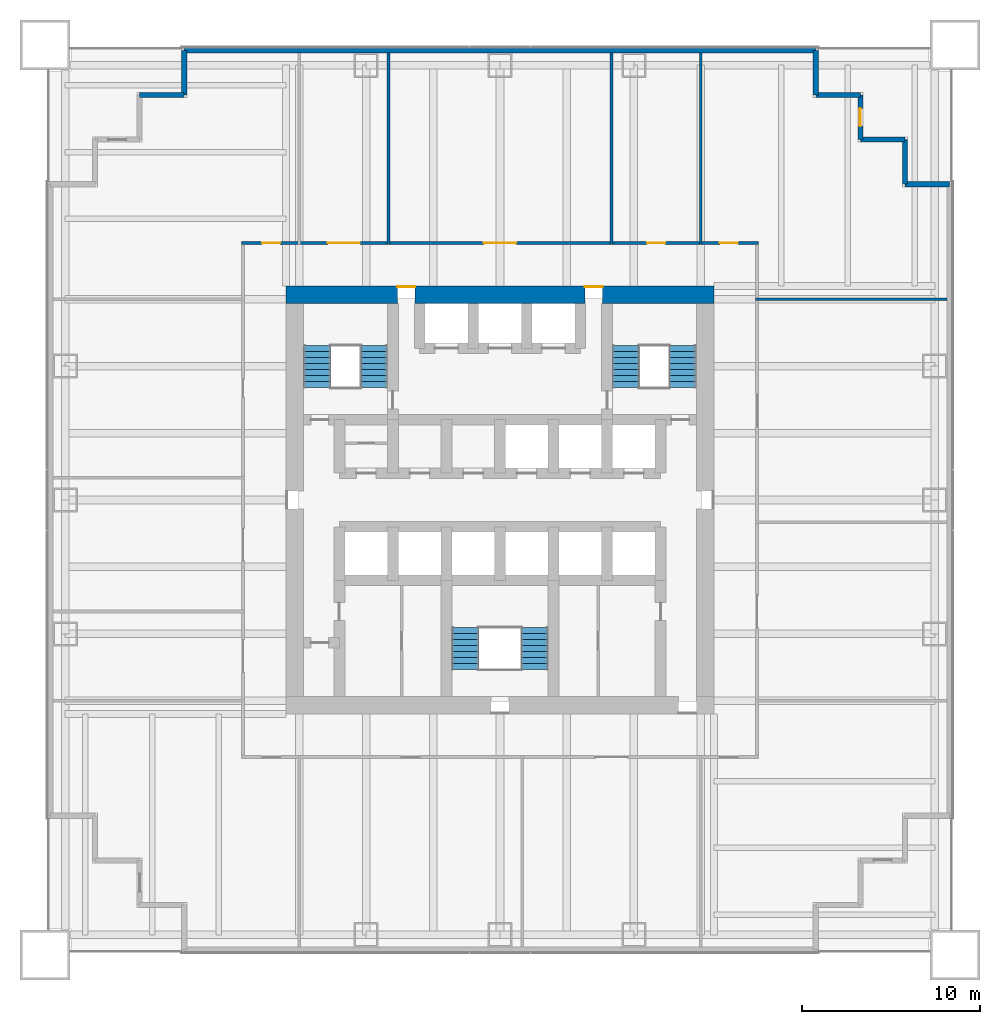
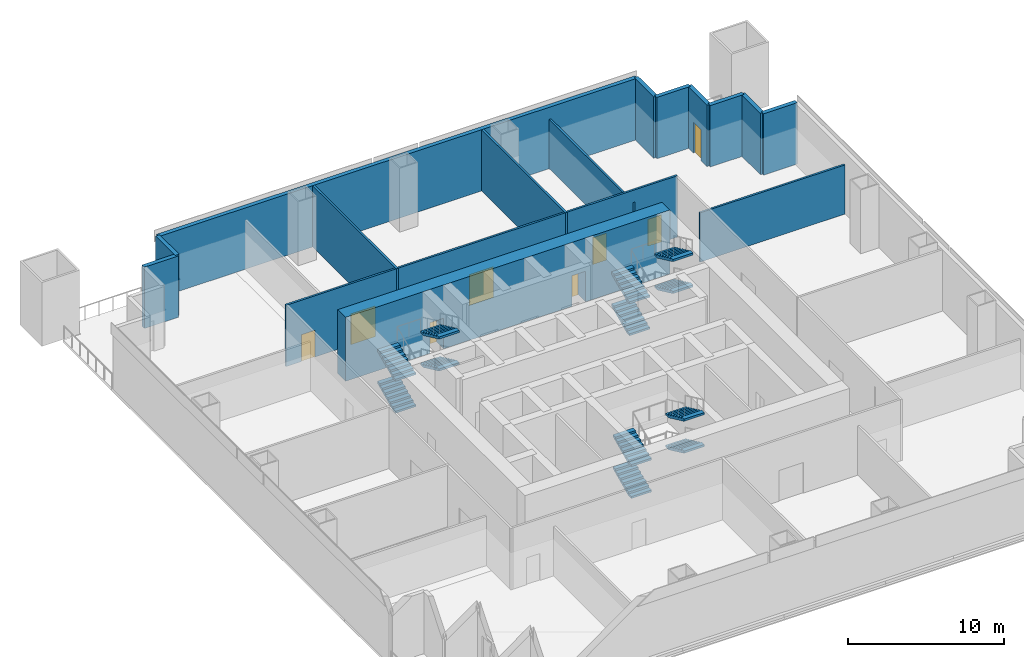
# One storey, part 4 of 6: 15 walls, 12 stair flights, 8 doors, 8 openings, 3 elements without a shape of their own.
"""IFC4 building model written with IfcOpenShell, lengths in metres."""

from ifc_helpers import new_model, si_unit, direction, frame, frame_2d, origin, place, context, subcontext, project, spatial, polyline, rectangle, outline, extrude, material, layer, layer_set, type_object, element, fill, aggregate, save


model = new_model("IFC4")

# Units and contexts
model_context = context("Model", 3, precision=1e-05, world=origin(), true_north=direction((0.0, 1.0)))
body_context = subcontext(model_context, "Body", "Model", "MODEL_VIEW")
ifc_project = project(units=[si_unit("LENGTHUNIT", "METRE"), si_unit("AREAUNIT", "SQUARE_METRE"), si_unit("VOLUMEUNIT", "CUBIC_METRE"), si_unit("PLANEANGLEUNIT", "RADIAN"), si_unit("MASSUNIT", "GRAM", prefix="KILO")], contexts=[model_context])

# Site, building, storey
site_placement = place(None, origin())
site = spatial("IfcSite", under=ifc_project, at=site_placement, CompositionType="ELEMENT")
building_placement = place(site_placement, origin())
building = spatial("IfcBuilding", under=site, at=building_placement, Name="Tarangal Relay Tower", CompositionType="ELEMENT")
storey_placement = place(building_placement, frame((0.0, 0.0, 73.39990234375)))
storey = spatial("IfcBuildingStorey", under=building, at=storey_placement, Name="L14", CompositionType="ELEMENT", Elevation=73.39990234375)

# Wall, openings, doors
ifc_material_1 = material(Name="Concrete fc' 60 MPa", Category="concrete")
ifc_layer_1 = layer(ifc_material_1, 1.0)
ifc_layer_set_1 = layer_set([ifc_layer_1], Name="Core wall 1000")
wall_type_1 = type_object("IfcWallType", Name="Core wall 1000", PredefinedType="SHEAR", material=ifc_layer_set_1)
wall_1_placement = place(storey_placement, frame((-12.0, 11.5, 0.0), z_axis=(0.0, 0.0, 1.0), x_axis=(1.0, 0.0, 0.0)))
wall_1 = element("IfcWall", 1, at=wall_1_placement, inside=storey, type_object=wall_type_1, Name="Core wall N L14", PredefinedType="SHEAR", context=body_context, shape_type="SweptSolid", body=[
    extrude(rectangle(XDim=24.0, YDim=1.0, at=frame_2d((12.0, 0.0))), origin(), (0.0, 0.0, 1.0), 5.0),
])
opening_1_placement = place(wall_1_placement, frame((6.25, 0.0, 0.0)))
opening_1 = element("IfcOpeningElement", 2, at=opening_1_placement, cuts=wall_1, Name="Opening FD3", PredefinedType="OPENING", context=body_context, shape_type="SweptSolid", body=[
    extrude(rectangle(XDim=1.0, YDim=2.39990234375, at=frame_2d((0.5, 1.199951171875))), frame((0.0, 0.510009765625, 0.0), z_axis=(0.0, -1.0, 0.0), x_axis=(1.0, 0.0, 0.0)), (0.0, 0.0, 1.0), 1.02001953125),
])
opening_2_placement = place(wall_1_placement, frame((16.75, 0.0, 0.0)))
opening_2 = element("IfcOpeningElement", 3, at=opening_2_placement, cuts=wall_1, Name="Opening FD3", PredefinedType="OPENING", context=body_context, shape_type="SweptSolid", body=[
    extrude(rectangle(XDim=1.0, YDim=2.39990234375, at=frame_2d((0.5, 1.199951171875))), frame((0.0, 0.510009765625, 0.0), z_axis=(0.0, -1.0, 0.0), x_axis=(1.0, 0.0, 0.0)), (0.0, 0.0, 1.0), 1.02001953125),
])
ifc_material_2 = material(Name="Steel door with hardwood frame", Category="steel")
door_type_1 = type_object("IfcDoorType", Name="Fire door 1000 x 2400 core entry", OperationType="SINGLE_SWING_RIGHT", PredefinedType="DOOR", material=ifc_material_2)
door_1_placement = place(opening_1_placement, origin())
door_1 = element("IfcDoor", 4, at=door_1_placement, inside=storey, type_object=door_type_1, Name="Core entry door north west L14", OperationType="SINGLE_SWING_RIGHT", OverallHeight=2.39990234375, OverallWidth=1.0, PredefinedType="DOOR", context=body_context, shape_type="SweptSolid", body=[
    extrude(rectangle(XDim=1.0, YDim=2.39990234375, at=frame_2d((0.5, 1.199951171875))), frame((0.0, 0.48486328125, 0.0), z_axis=(0.0, -1.0, 0.0), x_axis=(1.0, 0.0, 0.0)), (0.0, 0.0, 1.0), 0.050048828125),
])
fill(opening_1, door_1)
door_2_placement = place(opening_2_placement, origin())
door_2 = element("IfcDoor", 5, at=door_2_placement, inside=storey, type_object=door_type_1, Name="Core entry door north east L14", OperationType="SINGLE_SWING_RIGHT", OverallHeight=2.39990234375, OverallWidth=1.0, PredefinedType="DOOR", context=body_context, shape_type="SweptSolid", body=[
    extrude(rectangle(XDim=1.0, YDim=2.39990234375, at=frame_2d((0.5, 1.199951171875))), frame((0.0, 0.48486328125, 0.0), z_axis=(0.0, -1.0, 0.0), x_axis=(1.0, 0.0, 0.0)), (0.0, 0.0, 1.0), 0.050048828125),
])
fill(opening_2, door_2)

# Walls
ifc_material_3 = material(Name="Insulated precast concrete fc' 40 MPa", Category="concrete")
ifc_layer_2 = layer(ifc_material_3, 0.300048828125)
ifc_layer_set_2 = layer_set([ifc_layer_2], Name="Insulated precast concrete fc' 40 MPa")
wall_type_2 = type_object("IfcWallType", Name="Facade wall precast 300", PredefinedType="SOLIDWALL", material=ifc_layer_set_2)
wall_2_placement = place(storey_placement, frame((-17.699951171875, 25.199951171875, 0.0), z_axis=(0.0, 0.0, 1.0), x_axis=(1.0, 0.0, 0.0)))
element("IfcWall", 6, at=wall_2_placement, inside=storey, type_object=wall_type_2, Name="Facade wall N facade L14", PredefinedType="SOLIDWALL", context=body_context, shape_type="SweptSolid", body=[
    extrude(rectangle(XDim=35.39990234375, YDim=0.300048828125, at=frame_2d((17.699951171875, 0.0))), origin(), (0.0, 0.0, 1.0), 4.800048828125),
])
for number, where, z_axis, x_axis, name in (
    (7, (17.699951171875, 25.199951171875, 0.0), (0.0, 0.0, 1.0), (0.0, -1.0, 0.0), "Facade wall N facade L14"),
    (8, (17.699951171875, 22.699951171875, 0.0), (0.0, 0.0, 1.0), (1.0, 0.0, 0.0), "Facade wall N facade L14"),
):
    element("IfcWall", number, at=place(storey_placement, frame(where, z_axis=z_axis, x_axis=x_axis)), inside=storey, type_object=wall_type_2, Name=name, PredefinedType="SOLIDWALL", context=body_context, shape_type="SweptSolid", body=[
        extrude(rectangle(XDim=2.5, YDim=0.300048828125, at=frame_2d((1.25, 0.0))), origin(), (0.0, 0.0, 1.0), 4.800048828125),
    ])

# Wall, opening, door
wall_3_placement = place(storey_placement, frame((20.199951171875, 22.699951171875, 0.0), z_axis=(0.0, 0.0, 1.0), x_axis=(0.0, -1.0, 0.0)))
wall_3 = element("IfcWall", 9, at=wall_3_placement, inside=storey, type_object=wall_type_2, Name="Facade wall N facade L14", PredefinedType="SOLIDWALL", context=body_context, shape_type="SweptSolid", body=[
    extrude(rectangle(XDim=2.5, YDim=0.300048828125, at=frame_2d((1.25, 0.0))), origin(), (0.0, 0.0, 1.0), 4.800048828125),
])
opening_3_placement = place(wall_3_placement, frame((0.75, 0.0, 0.0)))
opening_3 = element("IfcOpeningElement", 10, at=opening_3_placement, cuts=wall_3, Name="Opening TD1", PredefinedType="OPENING", context=body_context, shape_type="SweptSolid", body=[
    extrude(rectangle(XDim=1.0, YDim=2.39990234375, at=frame_2d((0.5, 1.199951171875))), frame((0.0, 0.159912109375, 0.0), z_axis=(0.0, -1.0, 0.0), x_axis=(1.0, 0.0, 0.0)), (0.0, 0.0, 1.0), 0.320068359375),
])
ifc_material_4 = material(Name="Aluminium glazed door", Category="aluminium")
door_type_2 = type_object("IfcDoorType", Name="Terrace door 1000 x 2400", OperationType="SINGLE_SWING_RIGHT", PredefinedType="DOOR", material=ifc_material_4)
door_3_placement = place(opening_3_placement, origin())
door_3 = element("IfcDoor", 11, at=door_3_placement, inside=storey, type_object=door_type_2, Name="Terrace door TD1 NE L14", OperationType="SINGLE_SWING_RIGHT", OverallHeight=2.39990234375, OverallWidth=1.0, PredefinedType="DOOR", context=body_context, shape_type="SweptSolid", body=[
    extrude(rectangle(XDim=1.0, YDim=2.39990234375, at=frame_2d((0.5, 1.199951171875))), frame((0.0, 0.02490234375, 0.0), z_axis=(0.0, -1.0, 0.0), x_axis=(1.0, 0.0, 0.0)), (0.0, 0.0, 1.0), 0.050048828125),
])
fill(opening_3, door_3)

# Walls
for number, where, z_axis, x_axis, name in (
    (12, (20.199951171875, 20.199951171875, 0.0), (0.0, 0.0, 1.0), (1.0, 0.0, 0.0), "Facade wall N facade L14"),
    (13, (22.699951171875, 20.199951171875, 0.0), (0.0, 0.0, 1.0), (0.0, -1.0, 0.0), "Facade wall N facade L14"),
    (14, (22.699951171875, 17.699951171875, 0.0), (0.0, 0.0, 1.0), (1.0, 0.0, 0.0), "Facade wall N facade L14"),
    (15, (-20.199951171875, 22.699951171875, 0.0), (0.0, 0.0, 1.0), (1.0, 0.0, 0.0), "Facade wall W facade L14"),
    (16, (-17.699951171875, 22.699951171875, 0.0), (0.0, 0.0, 1.0), (0.0, 1.0, 0.0), "Facade wall W facade L14"),
):
    element("IfcWall", number, at=place(storey_placement, frame(where, z_axis=z_axis, x_axis=x_axis)), inside=storey, type_object=wall_type_2, Name=name, PredefinedType="SOLIDWALL", context=body_context, shape_type="SweptSolid", body=[
        extrude(rectangle(XDim=2.5, YDim=0.300048828125, at=frame_2d((1.25, 0.0))), origin(), (0.0, 0.0, 1.0), 4.800048828125),
    ])
ifc_material_5 = material(Name="Gypsum board on steel studs", Category="steel")
ifc_layer_3 = layer(ifc_material_5, 0.14990234375)
ifc_layer_set_3 = layer_set([ifc_layer_3], Name="Partition 150")
wall_type_3 = type_object("IfcWallType", Name="Partition 150", PredefinedType="PARTITIONING", material=ifc_layer_set_3)
wall_4_placement = place(storey_placement, frame((14.324951171875, 11.25, 0.0), z_axis=(0.0, 0.0, 1.0), x_axis=(1.0, 0.0, 0.0)))
element("IfcWall", 17, at=wall_4_placement, inside=storey, type_object=wall_type_3, Name="Partition PT1 L14", PredefinedType="PARTITIONING", context=body_context, shape_type="SweptSolid", body=[
    extrude(rectangle(XDim=10.72509765625, YDim=0.14990234375, at=frame_2d((5.362548828125, 0.0))), origin(), (0.0, 0.0, 1.0), 3.852783203125),
])

# Wall, openings, doors
wall_5_placement = place(storey_placement, frame((-14.47509765625, 14.39990234375, 0.0), z_axis=(0.0, 0.0, 1.0), x_axis=(1.0, 0.0, 0.0)))
wall_5 = element("IfcWall", 18, at=wall_5_placement, inside=storey, type_object=wall_type_3, Name="Partition PT1 L14", PredefinedType="PARTITIONING", context=body_context, shape_type="SweptSolid", body=[
    extrude(rectangle(XDim=28.9501953125, YDim=0.14990234375, at=frame_2d((14.47509765625, 0.0))), origin(), (0.0, 0.0, 1.0), 4.800048828125),
])
opening_4_placement = place(wall_5_placement, frame((4.824951171875, 0.0, 0.0)))
opening_4 = element("IfcOpeningElement", 19, at=opening_4_placement, cuts=wall_5, Name="Opening DD1", PredefinedType="OPENING", context=body_context, shape_type="SweptSolid", body=[
    extrude(rectangle(XDim=1.800048828125, YDim=2.39990234375, at=frame_2d((0.89990234375, 1.199951171875))), frame((0.0, 0.0849609375, 0.0), z_axis=(0.0, -1.0, 0.0), x_axis=(1.0, 0.0, 0.0)), (0.0, 0.0, 1.0), 0.169921875),
])
opening_5_placement = place(wall_5_placement, frame((13.574951171875, 0.0, 0.0)))
opening_5 = element("IfcOpeningElement", 20, at=opening_5_placement, cuts=wall_5, Name="Opening DD1", PredefinedType="OPENING", context=body_context, shape_type="SweptSolid", body=[
    extrude(rectangle(XDim=1.800048828125, YDim=2.39990234375, at=frame_2d((0.89990234375, 1.199951171875))), frame((0.0, 0.0849609375, 0.0), z_axis=(0.0, -1.0, 0.0), x_axis=(1.0, 0.0, 0.0)), (0.0, 0.0, 1.0), 0.169921875),
])
opening_6_placement = place(wall_5_placement, frame((22.72509765625, 0.0, 0.0)))
opening_6 = element("IfcOpeningElement", 21, at=opening_6_placement, cuts=wall_5, Name="Opening D2", PredefinedType="OPENING", context=body_context, shape_type="SweptSolid", body=[
    extrude(rectangle(XDim=1.0, YDim=2.10009765625, at=frame_2d((0.5, 1.050048828125))), frame((0.0, 0.0849609375, 0.0), z_axis=(0.0, -1.0, 0.0), x_axis=(1.0, 0.0, 0.0)), (0.0, 0.0, 1.0), 0.169921875),
])
opening_7_placement = place(wall_5_placement, frame((26.800048828125, 0.0, 0.0)))
opening_7 = element("IfcOpeningElement", 22, at=opening_7_placement, cuts=wall_5, Name="Opening D2", PredefinedType="OPENING", context=body_context, shape_type="SweptSolid", body=[
    extrude(rectangle(XDim=1.0, YDim=2.10009765625, at=frame_2d((0.5, 1.050048828125))), frame((0.0, 0.0849609375, 0.0), z_axis=(0.0, -1.0, 0.0), x_axis=(1.0, 0.0, 0.0)), (0.0, 0.0, 1.0), 0.169921875),
])
opening_8_placement = place(wall_5_placement, frame((1.14990234375, 0.0, 0.0)))
opening_8 = element("IfcOpeningElement", 23, at=opening_8_placement, cuts=wall_5, Name="Opening D2", PredefinedType="OPENING", context=body_context, shape_type="SweptSolid", body=[
    extrude(rectangle(XDim=1.0, YDim=2.10009765625, at=frame_2d((0.5, 1.050048828125))), frame((0.0, 0.0849609375, 0.0), z_axis=(0.0, -1.0, 0.0), x_axis=(1.0, 0.0, 0.0)), (0.0, 0.0, 1.0), 0.169921875),
])
ifc_material_6 = material(Name="Hardwood door", Category="wood")
door_type_3 = type_object("IfcDoorType", Name="Door 1000 x 2100", OperationType="SINGLE_SWING_LEFT", PredefinedType="DOOR", material=ifc_material_6)
door_4_placement = place(opening_6_placement, origin())
door_4 = element("IfcDoor", 24, at=door_4_placement, inside=storey, type_object=door_type_3, Name="Door D2 to rack build and test room L14-04", OperationType="SINGLE_SWING_LEFT", OverallHeight=2.10009765625, OverallWidth=1.0, PredefinedType="DOOR", context=body_context, shape_type="SweptSolid", body=[
    extrude(rectangle(XDim=1.0, YDim=2.10009765625, at=frame_2d((0.5, 1.050048828125))), frame((0.0, 0.02490234375, 0.0), z_axis=(0.0, -1.0, 0.0), x_axis=(1.0, 0.0, 0.0)), (0.0, 0.0, 1.0), 0.050048828125),
])
fill(opening_6, door_4)
door_5_placement = place(opening_7_placement, origin())
door_5 = element("IfcDoor", 25, at=door_5_placement, inside=storey, type_object=door_type_3, Name="Door D2 to security office L14-12", OperationType="SINGLE_SWING_LEFT", OverallHeight=2.10009765625, OverallWidth=1.0, PredefinedType="DOOR", context=body_context, shape_type="SweptSolid", body=[
    extrude(rectangle(XDim=1.0, YDim=2.10009765625, at=frame_2d((0.5, 1.050048828125))), frame((0.0, 0.02490234375, 0.0), z_axis=(0.0, -1.0, 0.0), x_axis=(1.0, 0.0, 0.0)), (0.0, 0.0, 1.0), 0.050048828125),
])
fill(opening_7, door_5)
door_6_placement = place(opening_8_placement, origin())
door_6 = element("IfcDoor", 26, at=door_6_placement, inside=storey, type_object=door_type_3, Name="Door D2 to network operations room L14-15", OperationType="SINGLE_SWING_LEFT", OverallHeight=2.10009765625, OverallWidth=1.0, PredefinedType="DOOR", context=body_context, shape_type="SweptSolid", body=[
    extrude(rectangle(XDim=1.0, YDim=2.10009765625, at=frame_2d((0.5, 1.050048828125))), frame((0.0, 0.02490234375, 0.0), z_axis=(0.0, -1.0, 0.0), x_axis=(1.0, 0.0, 0.0)), (0.0, 0.0, 1.0), 0.050048828125),
])
fill(opening_8, door_6)
door_type_4 = type_object("IfcDoorType", Name="Equipment double door 1800 x 2400", OperationType="DOUBLE_DOOR_SINGLE_SWING", PredefinedType="DOOR", material=ifc_material_2)
door_7_placement = place(opening_4_placement, origin())
door_7 = element("IfcDoor", 27, at=door_7_placement, inside=storey, type_object=door_type_4, Name="Door DD1 to coolant distribution plant room L14-02", OperationType="DOUBLE_DOOR_SINGLE_SWING", OverallHeight=2.39990234375, OverallWidth=1.800048828125, PredefinedType="DOOR", context=body_context, shape_type="SweptSolid", body=[
    extrude(rectangle(XDim=1.800048828125, YDim=2.39990234375, at=frame_2d((0.89990234375, 1.199951171875))), frame((0.0, 0.02490234375, 0.0), z_axis=(0.0, -1.0, 0.0), x_axis=(1.0, 0.0, 0.0)), (0.0, 0.0, 1.0), 0.050048828125),
])
fill(opening_4, door_7)
door_8_placement = place(opening_5_placement, origin())
door_8 = element("IfcDoor", 28, at=door_8_placement, inside=storey, type_object=door_type_4, Name="Door DD1 to data hall L14-03", OperationType="DOUBLE_DOOR_SINGLE_SWING", OverallHeight=2.39990234375, OverallWidth=1.800048828125, PredefinedType="DOOR", context=body_context, shape_type="SweptSolid", body=[
    extrude(rectangle(XDim=1.800048828125, YDim=2.39990234375, at=frame_2d((0.89990234375, 1.199951171875))), frame((0.0, 0.02490234375, 0.0), z_axis=(0.0, -1.0, 0.0), x_axis=(1.0, 0.0, 0.0)), (0.0, 0.0, 1.0), 0.050048828125),
])
fill(opening_5, door_8)

# Walls
for number, where, z_axis, x_axis, name in (
    (29, (-6.25, 14.324951171875, 0.0), (0.0, 0.0, 1.0), (0.0, 1.0, 0.0), "Partition PT1 L14"),
    (30, (6.25, 14.324951171875, 0.0), (0.0, 0.0, 1.0), (0.0, 1.0, 0.0), "Partition PT1 L14"),
):
    element("IfcWall", number, at=place(storey_placement, frame(where, z_axis=z_axis, x_axis=x_axis)), inside=storey, type_object=wall_type_3, Name=name, PredefinedType="PARTITIONING", context=body_context, shape_type="SweptSolid", body=[
        extrude(rectangle(XDim=10.72509765625, YDim=0.14990234375, at=frame_2d((5.362548828125, 0.0))), origin(), (0.0, 0.0, 1.0), 4.800048828125),
    ])
wall_6_placement = place(storey_placement, frame((11.25, 14.324951171875, 0.0), z_axis=(0.0, 0.0, 1.0), x_axis=(0.0, 1.0, 0.0)))
element("IfcWall", 31, at=wall_6_placement, inside=storey, type_object=wall_type_3, Name="Partition PT1 L14", PredefinedType="PARTITIONING", context=body_context, shape_type="SweptSolid", body=[
    extrude(rectangle(XDim=10.72509765625, YDim=0.14990234375, at=frame_2d((5.362548828125, 0.0))), origin(), (0.0, 0.0, 1.0), 3.852783203125),
])

# Stair, stair flights
ifc_material_7 = material(Name="Steel ASTM A992 stair flight", Category="steel")
stair_type = type_object("IfcStairType", Name="Core stair 1500", PredefinedType="HALF_TURN_STAIR", material=ifc_material_7)
stair_1_placement = place(storey_placement, origin())
stair_1 = element("IfcStair", 32, at=stair_1_placement, inside=storey, type_object=stair_type, Name="Stair ST-A L14", PredefinedType="HALF_TURN_STAIR")
stair_flight_type = type_object("IfcStairFlightType", Name="Steel stair flight 1500, 8 risers 156 x 335", PredefinedType="STRAIGHT", material=ifc_material_7)
stair_flight_1_placement = place(storey_placement, frame((-10.25, 6.300048828125, 0.0), z_axis=(0.0, 0.0, 1.0), x_axis=(0.0, 1.0, 0.0)))
stair_flight_1 = element("IfcStairFlight", 33, at=stair_flight_1_placement, type_object=stair_flight_type, Name="ST-A flight 1", NumberOfRisers=8, NumberOfTreads=7, PredefinedType="STRAIGHT", RiserHeight=0.15625, TreadLength=0.335, context=body_context, shape_type="SweptSolid", body=[
    extrude(outline(polyline([(0.0, 0.0), (0.0, 0.15625), (0.3349609375, 0.15625), (0.3349609375, 0.3125), (0.669921875, 0.3125), (0.669921875, 0.46875), (1.0048828125, 0.46875), (1.0048828125, 0.625), (1.340087890625, 0.625), (1.340087890625, 0.78125), (1.675048828125, 0.78125), (1.675048828125, 0.9375), (2.010009765625, 0.9375), (2.010009765625, 1.09375), (2.344970703125, 1.09375), (2.344970703125, 1.25), (2.344970703125, 0.92822265625), (0.354736328125, 0.0), (0.0, 0.0)])), frame((0.0, 0.75, 0.0), z_axis=(0.0, -1.0, 0.0), x_axis=(1.0, 0.0, 0.0)), (0.0, 0.0, 1.0), 1.5),
])
stair_flight_2_placement = place(storey_placement, frame((-7.050048828125, 8.64501953125, 1.25), z_axis=(0.0, 0.0, 1.0), x_axis=(0.0, -1.0, 0.0)))
stair_flight_2 = element("IfcStairFlight", 34, at=stair_flight_2_placement, type_object=stair_flight_type, Name="ST-A flight 2", NumberOfRisers=8, NumberOfTreads=7, PredefinedType="STRAIGHT", RiserHeight=0.15625, TreadLength=0.335, context=body_context, shape_type="SweptSolid", body=[
    extrude(outline(polyline([(0.0, 0.0), (0.0, 0.15625), (0.3349609375, 0.15625), (0.3349609375, 0.3125), (0.669921875, 0.3125), (0.669921875, 0.46875), (1.0048828125, 0.46875), (1.0048828125, 0.625), (1.340087890625, 0.625), (1.340087890625, 0.78125), (1.675048828125, 0.78125), (1.675048828125, 0.9375), (2.010009765625, 0.9375), (2.010009765625, 1.09375), (2.344970703125, 1.09375), (2.344970703125, 1.25), (2.344970703125, 0.92822265625), (0.354736328125, 0.0), (0.0, 0.0)])), frame((0.0, 0.75, 0.0), z_axis=(0.0, -1.0, 0.0), x_axis=(1.0, 0.0, 0.0)), (0.0, 0.0, 1.0), 1.5),
])
stair_flight_3_placement = place(storey_placement, frame((-10.25, 6.300048828125, 2.5), z_axis=(0.0, 0.0, 1.0), x_axis=(0.0, 1.0, 0.0)))
stair_flight_3 = element("IfcStairFlight", 35, at=stair_flight_3_placement, type_object=stair_flight_type, Name="ST-A flight 3", NumberOfRisers=8, NumberOfTreads=7, PredefinedType="STRAIGHT", RiserHeight=0.15625, TreadLength=0.335, context=body_context, shape_type="SweptSolid", body=[
    extrude(outline(polyline([(0.0, 0.0), (0.0, 0.15625), (0.3349609375, 0.15625), (0.3349609375, 0.3125), (0.669921875, 0.3125), (0.669921875, 0.46875), (1.0048828125, 0.46875), (1.0048828125, 0.625), (1.340087890625, 0.625), (1.340087890625, 0.78125), (1.675048828125, 0.78125), (1.675048828125, 0.9375), (2.010009765625, 0.9375), (2.010009765625, 1.09375), (2.344970703125, 1.09375), (2.344970703125, 1.25), (2.344970703125, 0.92822265625), (0.354736328125, 0.0), (0.0, 0.0)])), frame((0.0, 0.75, 0.0), z_axis=(0.0, -1.0, 0.0), x_axis=(1.0, 0.0, 0.0)), (0.0, 0.0, 1.0), 1.5),
])
stair_flight_4_placement = place(storey_placement, frame((-7.050048828125, 8.64501953125, 3.75), z_axis=(0.0, 0.0, 1.0), x_axis=(0.0, -1.0, 0.0)))
stair_flight_4 = element("IfcStairFlight", 36, at=stair_flight_4_placement, type_object=stair_flight_type, Name="ST-A flight 4", NumberOfRisers=8, NumberOfTreads=7, PredefinedType="STRAIGHT", RiserHeight=0.15625, TreadLength=0.335, context=body_context, shape_type="SweptSolid", body=[
    extrude(outline(polyline([(0.0, 0.0), (0.0, 0.15625), (0.3349609375, 0.15625), (0.3349609375, 0.3125), (0.669921875, 0.3125), (0.669921875, 0.46875), (1.0048828125, 0.46875), (1.0048828125, 0.625), (1.340087890625, 0.625), (1.340087890625, 0.78125), (1.675048828125, 0.78125), (1.675048828125, 0.9375), (2.010009765625, 0.9375), (2.010009765625, 1.09375), (2.344970703125, 1.09375), (2.344970703125, 1.25), (2.344970703125, 0.92822265625), (0.354736328125, 0.0), (0.0, 0.0)])), frame((0.0, 0.75, 0.0), z_axis=(0.0, -1.0, 0.0), x_axis=(1.0, 0.0, 0.0)), (0.0, 0.0, 1.0), 1.5),
])
aggregate(stair_1, [stair_flight_1, stair_flight_2, stair_flight_3, stair_flight_4])

stair_2_placement = place(storey_placement, origin())
stair_2 = element("IfcStair", 37, at=stair_2_placement, inside=storey, type_object=stair_type, Name="Stair ST-B L14", PredefinedType="HALF_TURN_STAIR")
stair_flight_5_placement = place(storey_placement, frame((7.050048828125, 6.300048828125, 0.0), z_axis=(0.0, 0.0, 1.0), x_axis=(0.0, 1.0, 0.0)))
stair_flight_5 = element("IfcStairFlight", 38, at=stair_flight_5_placement, type_object=stair_flight_type, Name="ST-B flight 1", NumberOfRisers=8, NumberOfTreads=7, PredefinedType="STRAIGHT", RiserHeight=0.15625, TreadLength=0.335, context=body_context, shape_type="SweptSolid", body=[
    extrude(outline(polyline([(0.0, 0.0), (0.0, 0.15625), (0.3349609375, 0.15625), (0.3349609375, 0.3125), (0.669921875, 0.3125), (0.669921875, 0.46875), (1.0048828125, 0.46875), (1.0048828125, 0.625), (1.340087890625, 0.625), (1.340087890625, 0.78125), (1.675048828125, 0.78125), (1.675048828125, 0.9375), (2.010009765625, 0.9375), (2.010009765625, 1.09375), (2.344970703125, 1.09375), (2.344970703125, 1.25), (2.344970703125, 0.92822265625), (0.354736328125, 0.0), (0.0, 0.0)])), frame((0.0, 0.75, 0.0), z_axis=(0.0, -1.0, 0.0), x_axis=(1.0, 0.0, 0.0)), (0.0, 0.0, 1.0), 1.5),
])
stair_flight_6_placement = place(storey_placement, frame((10.25, 8.64501953125, 1.25), z_axis=(0.0, 0.0, 1.0), x_axis=(0.0, -1.0, 0.0)))
stair_flight_6 = element("IfcStairFlight", 39, at=stair_flight_6_placement, type_object=stair_flight_type, Name="ST-B flight 2", NumberOfRisers=8, NumberOfTreads=7, PredefinedType="STRAIGHT", RiserHeight=0.15625, TreadLength=0.335, context=body_context, shape_type="SweptSolid", body=[
    extrude(outline(polyline([(0.0, 0.0), (0.0, 0.15625), (0.3349609375, 0.15625), (0.3349609375, 0.3125), (0.669921875, 0.3125), (0.669921875, 0.46875), (1.0048828125, 0.46875), (1.0048828125, 0.625), (1.340087890625, 0.625), (1.340087890625, 0.78125), (1.675048828125, 0.78125), (1.675048828125, 0.9375), (2.010009765625, 0.9375), (2.010009765625, 1.09375), (2.344970703125, 1.09375), (2.344970703125, 1.25), (2.344970703125, 0.92822265625), (0.354736328125, 0.0), (0.0, 0.0)])), frame((0.0, 0.75, 0.0), z_axis=(0.0, -1.0, 0.0), x_axis=(1.0, 0.0, 0.0)), (0.0, 0.0, 1.0), 1.5),
])
stair_flight_7_placement = place(storey_placement, frame((7.050048828125, 6.300048828125, 2.5), z_axis=(0.0, 0.0, 1.0), x_axis=(0.0, 1.0, 0.0)))
stair_flight_7 = element("IfcStairFlight", 40, at=stair_flight_7_placement, type_object=stair_flight_type, Name="ST-B flight 3", NumberOfRisers=8, NumberOfTreads=7, PredefinedType="STRAIGHT", RiserHeight=0.15625, TreadLength=0.335, context=body_context, shape_type="SweptSolid", body=[
    extrude(outline(polyline([(0.0, 0.0), (0.0, 0.15625), (0.3349609375, 0.15625), (0.3349609375, 0.3125), (0.669921875, 0.3125), (0.669921875, 0.46875), (1.0048828125, 0.46875), (1.0048828125, 0.625), (1.340087890625, 0.625), (1.340087890625, 0.78125), (1.675048828125, 0.78125), (1.675048828125, 0.9375), (2.010009765625, 0.9375), (2.010009765625, 1.09375), (2.344970703125, 1.09375), (2.344970703125, 1.25), (2.344970703125, 0.92822265625), (0.354736328125, 0.0), (0.0, 0.0)])), frame((0.0, 0.75, 0.0), z_axis=(0.0, -1.0, 0.0), x_axis=(1.0, 0.0, 0.0)), (0.0, 0.0, 1.0), 1.5),
])
stair_flight_8_placement = place(storey_placement, frame((10.25, 8.64501953125, 3.75), z_axis=(0.0, 0.0, 1.0), x_axis=(0.0, -1.0, 0.0)))
stair_flight_8 = element("IfcStairFlight", 41, at=stair_flight_8_placement, type_object=stair_flight_type, Name="ST-B flight 4", NumberOfRisers=8, NumberOfTreads=7, PredefinedType="STRAIGHT", RiserHeight=0.15625, TreadLength=0.335, context=body_context, shape_type="SweptSolid", body=[
    extrude(outline(polyline([(0.0, 0.0), (0.0, 0.15625), (0.3349609375, 0.15625), (0.3349609375, 0.3125), (0.669921875, 0.3125), (0.669921875, 0.46875), (1.0048828125, 0.46875), (1.0048828125, 0.625), (1.340087890625, 0.625), (1.340087890625, 0.78125), (1.675048828125, 0.78125), (1.675048828125, 0.9375), (2.010009765625, 0.9375), (2.010009765625, 1.09375), (2.344970703125, 1.09375), (2.344970703125, 1.25), (2.344970703125, 0.92822265625), (0.354736328125, 0.0), (0.0, 0.0)])), frame((0.0, 0.75, 0.0), z_axis=(0.0, -1.0, 0.0), x_axis=(1.0, 0.0, 0.0)), (0.0, 0.0, 1.0), 1.5),
])
aggregate(stair_2, [stair_flight_5, stair_flight_6, stair_flight_7, stair_flight_8])

stair_3_placement = place(storey_placement, origin())
stair_3 = element("IfcStair", 42, at=stair_3_placement, inside=storey, type_object=stair_type, Name="Stair ST-C L14", PredefinedType="HALF_TURN_STAIR")
stair_flight_9_placement = place(storey_placement, frame((-1.949951171875, -9.5, 0.0), z_axis=(0.0, 0.0, 1.0), x_axis=(0.0, 1.0, 0.0)))
stair_flight_9 = element("IfcStairFlight", 43, at=stair_flight_9_placement, type_object=stair_flight_type, Name="ST-C flight 1", NumberOfRisers=8, NumberOfTreads=7, PredefinedType="STRAIGHT", RiserHeight=0.15625, TreadLength=0.335, context=body_context, shape_type="SweptSolid", body=[
    extrude(outline(polyline([(0.0, 0.0), (0.0, 0.15625), (0.3349609375, 0.15625), (0.3349609375, 0.3125), (0.669921875, 0.3125), (0.669921875, 0.46875), (1.0048828125, 0.46875), (1.0048828125, 0.625), (1.340087890625, 0.625), (1.340087890625, 0.78125), (1.675048828125, 0.78125), (1.675048828125, 0.9375), (2.010009765625, 0.9375), (2.010009765625, 1.09375), (2.344970703125, 1.09375), (2.344970703125, 1.25), (2.344970703125, 0.92822265625), (0.354736328125, 0.0), (0.0, 0.0)])), frame((0.0, 0.75, 0.0), z_axis=(0.0, -1.0, 0.0), x_axis=(1.0, 0.0, 0.0)), (0.0, 0.0, 1.0), 1.5),
])
stair_flight_10_placement = place(storey_placement, frame((1.949951171875, -7.155029296875, 1.25), z_axis=(0.0, 0.0, 1.0), x_axis=(0.0, -1.0, 0.0)))
stair_flight_10 = element("IfcStairFlight", 44, at=stair_flight_10_placement, type_object=stair_flight_type, Name="ST-C flight 2", NumberOfRisers=8, NumberOfTreads=7, PredefinedType="STRAIGHT", RiserHeight=0.15625, TreadLength=0.335, context=body_context, shape_type="SweptSolid", body=[
    extrude(outline(polyline([(0.0, 0.0), (0.0, 0.15625), (0.3349609375, 0.15625), (0.3349609375, 0.3125), (0.669921875, 0.3125), (0.669921875, 0.46875), (1.0048828125, 0.46875), (1.0048828125, 0.625), (1.340087890625, 0.625), (1.340087890625, 0.78125), (1.675048828125, 0.78125), (1.675048828125, 0.9375), (2.010009765625, 0.9375), (2.010009765625, 1.09375), (2.344970703125, 1.09375), (2.344970703125, 1.25), (2.344970703125, 0.92822265625), (0.354736328125, 0.0), (0.0, 0.0)])), frame((0.0, 0.75, 0.0), z_axis=(0.0, -1.0, 0.0), x_axis=(1.0, 0.0, 0.0)), (0.0, 0.0, 1.0), 1.5),
])
stair_flight_11_placement = place(storey_placement, frame((-1.949951171875, -9.5, 2.5), z_axis=(0.0, 0.0, 1.0), x_axis=(0.0, 1.0, 0.0)))
stair_flight_11 = element("IfcStairFlight", 45, at=stair_flight_11_placement, type_object=stair_flight_type, Name="ST-C flight 3", NumberOfRisers=8, NumberOfTreads=7, PredefinedType="STRAIGHT", RiserHeight=0.15625, TreadLength=0.335, context=body_context, shape_type="SweptSolid", body=[
    extrude(outline(polyline([(0.0, 0.0), (0.0, 0.15625), (0.3349609375, 0.15625), (0.3349609375, 0.3125), (0.669921875, 0.3125), (0.669921875, 0.46875), (1.0048828125, 0.46875), (1.0048828125, 0.625), (1.340087890625, 0.625), (1.340087890625, 0.78125), (1.675048828125, 0.78125), (1.675048828125, 0.9375), (2.010009765625, 0.9375), (2.010009765625, 1.09375), (2.344970703125, 1.09375), (2.344970703125, 1.25), (2.344970703125, 0.92822265625), (0.354736328125, 0.0), (0.0, 0.0)])), frame((0.0, 0.75, 0.0), z_axis=(0.0, -1.0, 0.0), x_axis=(1.0, 0.0, 0.0)), (0.0, 0.0, 1.0), 1.5),
])
stair_flight_12_placement = place(storey_placement, frame((1.949951171875, -7.155029296875, 3.75), z_axis=(0.0, 0.0, 1.0), x_axis=(0.0, -1.0, 0.0)))
stair_flight_12 = element("IfcStairFlight", 46, at=stair_flight_12_placement, type_object=stair_flight_type, Name="ST-C flight 4", NumberOfRisers=8, NumberOfTreads=7, PredefinedType="STRAIGHT", RiserHeight=0.15625, TreadLength=0.335, context=body_context, shape_type="SweptSolid", body=[
    extrude(outline(polyline([(0.0, 0.0), (0.0, 0.15625), (0.3349609375, 0.15625), (0.3349609375, 0.3125), (0.669921875, 0.3125), (0.669921875, 0.46875), (1.0048828125, 0.46875), (1.0048828125, 0.625), (1.340087890625, 0.625), (1.340087890625, 0.78125), (1.675048828125, 0.78125), (1.675048828125, 0.9375), (2.010009765625, 0.9375), (2.010009765625, 1.09375), (2.344970703125, 1.09375), (2.344970703125, 1.25), (2.344970703125, 0.92822265625), (0.354736328125, 0.0), (0.0, 0.0)])), frame((0.0, 0.75, 0.0), z_axis=(0.0, -1.0, 0.0), x_axis=(1.0, 0.0, 0.0)), (0.0, 0.0, 1.0), 1.5),
])
aggregate(stair_3, [stair_flight_9, stair_flight_10, stair_flight_11, stair_flight_12])

save(model, "model.ifc")
